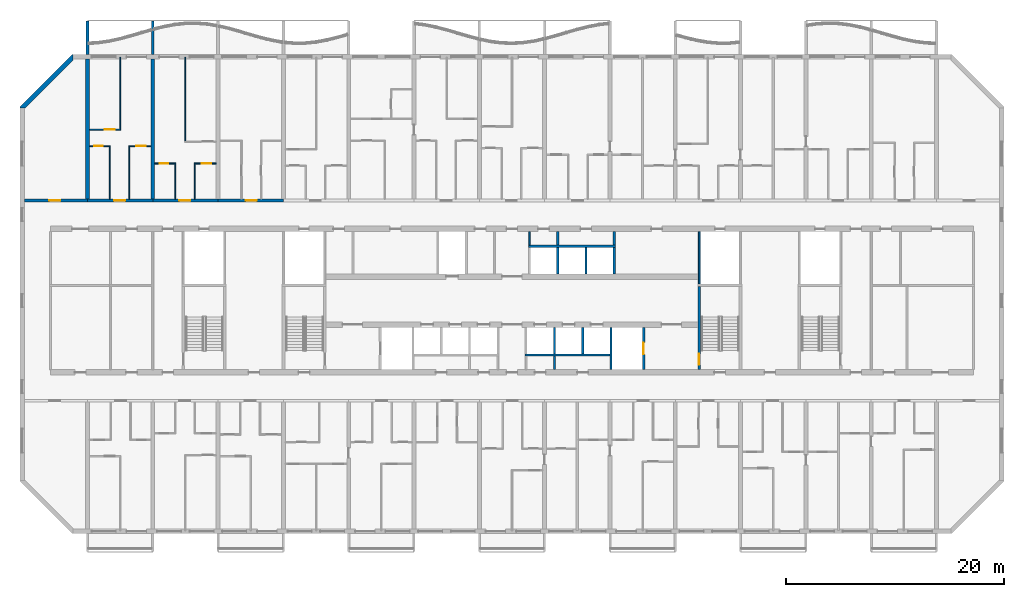
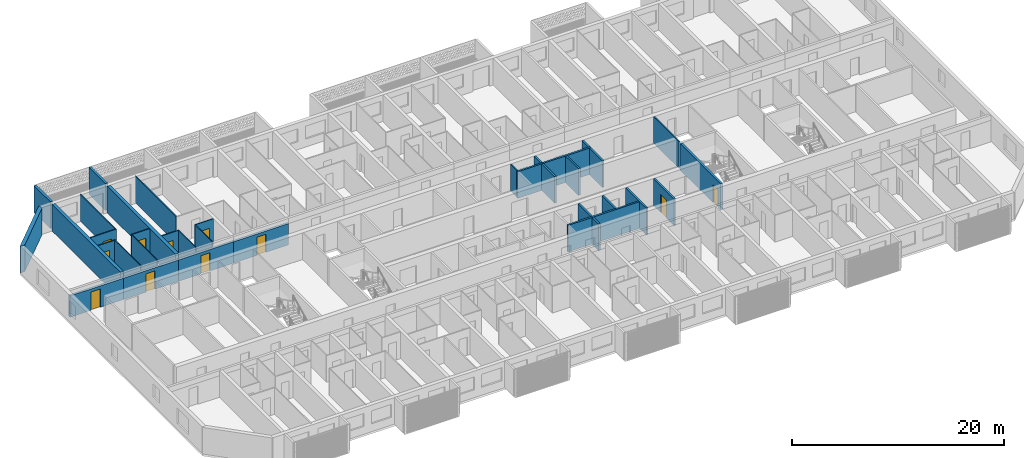
# One storey, part 9 of 27: 35 walls, 11 doors, 11 openings.
"""IFC4 building model written with IfcOpenShell, lengths in metres."""

from ifc_helpers import new_model, si_unit, direction, frame, frame_2d, origin, place, context, subcontext, project, spatial, polyline, rectangle, outline, extrude, source, transform, mapped, material, layer, layer_set, type_object, element, fill, save


model = new_model("IFC4")

# Units and contexts
model_context = context("Model", 3, precision=1e-05, world=origin(), true_north=direction((0.0, 1.0)))
body_context = subcontext(model_context, "Body", "Model", "MODEL_VIEW")
ifc_project = project(units=[si_unit("LENGTHUNIT", "METRE"), si_unit("AREAUNIT", "SQUARE_METRE"), si_unit("VOLUMEUNIT", "CUBIC_METRE"), si_unit("PLANEANGLEUNIT", "RADIAN"), si_unit("MASSUNIT", "GRAM", prefix="KILO")], contexts=[model_context])

# Site, building, storey
site_placement = place(None, origin())
site = spatial("IfcSite", under=ifc_project, at=site_placement, CompositionType="ELEMENT")
building_placement = place(site_placement, origin())
building = spatial("IfcBuilding", under=site, at=building_placement, Name="Poui Terraces", CompositionType="ELEMENT")
storey_placement = place(building_placement, frame((0.0, 0.0, 76.199951171875)))
storey = spatial("IfcBuildingStorey", under=building, at=storey_placement, Name="L20", CompositionType="ELEMENT", Elevation=76.199951171875)

# Wall
ifc_material_1 = material(Name="Fire-rated plasterboard wall")
ifc_layer_1 = layer(ifc_material_1, 0.14990234375)
ifc_layer_set_1 = layer_set([ifc_layer_1], Name="Fire-rated plasterboard wall")
wall_type_1 = type_object("IfcWallType", Name="CORRIDOR WALL 150", PredefinedType="PARTITIONING", material=ifc_layer_set_1)
wall_1_placement = place(storey_placement, frame((52.60009765625, 26.300048828125, 0.0), z_axis=(0.0, 0.0, 1.0), x_axis=(0.0, 1.0, 0.0)))
element("IfcWall", 1, at=wall_1_placement, inside=storey, type_object=wall_type_1, Name="CORRIDOR WALL 150", PredefinedType="PARTITIONING", context=body_context, shape_type="SweptSolid", body=[
    extrude(rectangle(XDim=1.239990234375, YDim=0.14990234375, at=frame_2d((0.6201171875, 0.0))), origin(), (0.0, 0.0, 1.0), 3.06005859375),
])

# Wall, opening, door
ifc_material_2 = material(Name="Concrete 65 MPa", Category="concrete")
ifc_layer_2 = layer(ifc_material_2, 0.25)
ifc_layer_set_2 = layer_set([ifc_layer_2], Name="Concrete 65 MPa")
wall_type_2 = type_object("IfcWallType", Name="CORRIDOR WALL 250 65MPa", PredefinedType="SHEAR", material=ifc_layer_set_2)
wall_2_placement = place(storey_placement, frame((6.199951171875, 30.39990234375, 0.0), z_axis=(0.0, 0.0, 1.0), x_axis=(1.0, 0.0, 0.0)))
wall_2 = element("IfcWall", 2, at=wall_2_placement, inside=storey, type_object=wall_type_2, Name="CORRIDOR WALL LINE E BAY 1", PredefinedType="SHEAR", context=body_context, shape_type="SweptSolid", body=[
    extrude(rectangle(XDim=5.800048828125, YDim=0.25, at=frame_2d((2.89990234375, 0.0))), origin(), (0.0, 0.0, 1.0), 2.4599609375),
])
opening_1_placement = place(wall_2_placement, frame((2.300048828125, 0.0, 0.0)))
opening_1 = element("IfcOpeningElement", 3, at=opening_1_placement, cuts=wall_2, Name="Opening D100", PredefinedType="OPENING", context=body_context, shape_type="SweptSolid", body=[
    extrude(rectangle(XDim=1.0, YDim=2.10009765625, at=frame_2d((0.5, 1.050048828125))), frame((0.0, 0.135009765625, 0.0), z_axis=(0.0, -1.0, 0.0), x_axis=(1.0, 0.0, 0.0)), (0.0, 0.0, 1.0), 0.27001953125),
])
ifc_material_3 = material(Name="Solid core timber door", Category="wood")
door_type_1 = type_object("IfcDoorType", Name="ACCESSIBLE INTERNAL DOOR 1000 X 2100", OperationType="NOTDEFINED", PredefinedType="DOOR", material=ifc_material_3)
door_1_placement = place(opening_1_placement, origin())
door_1 = element("IfcDoor", 4, at=door_1_placement, inside=storey, type_object=door_type_1, Name="ACCESSIBLE INTERNAL DOOR 033", OperationType="SINGLE_SWING_LEFT", OverallHeight=2.10009765625, OverallWidth=1.0, PredefinedType="DOOR", context=body_context, shape_type="SweptSolid", body=[
    extrude(rectangle(XDim=1.0, YDim=2.10009765625, at=frame_2d((0.5, 1.050048828125))), frame((0.0, 0.02490234375, 0.0), z_axis=(0.0, -1.0, 0.0), x_axis=(1.0, 0.0, 0.0)), (0.0, 0.0, 1.0), 0.050048828125),
])
fill(opening_1, door_1)

wall_3_placement = place(storey_placement, frame((12.0, 30.39990234375, 0.0), z_axis=(0.0, 0.0, 1.0), x_axis=(1.0, 0.0, 0.0)))
wall_3 = element("IfcWall", 5, at=wall_3_placement, inside=storey, type_object=wall_type_2, Name="CORRIDOR WALL LINE E BAY 2", PredefinedType="SHEAR", context=body_context, shape_type="SweptSolid", body=[
    extrude(rectangle(XDim=6.0, YDim=0.25, at=frame_2d((3.0, 0.0))), origin(), (0.0, 0.0, 1.0), 2.4599609375),
])
opening_2_placement = place(wall_3_placement, frame((2.449951171875, 0.0, 0.0)))
opening_2 = element("IfcOpeningElement", 6, at=opening_2_placement, cuts=wall_3, Name="Opening FD30S", PredefinedType="OPENING", context=body_context, shape_type="SweptSolid", body=[
    extrude(rectangle(XDim=1.0, YDim=2.10009765625, at=frame_2d((0.5, 1.050048828125))), frame((0.0, 0.135009765625, 0.0), z_axis=(0.0, -1.0, 0.0), x_axis=(1.0, 0.0, 0.0)), (0.0, 0.0, 1.0), 0.27001953125),
])
ifc_material_4 = material(Name="Steel fire door", Category="steel")
door_type_2 = type_object("IfcDoorType", Name="FLAT ENTRANCE DOOR 1000 X 2100", OperationType="NOTDEFINED", PredefinedType="DOOR", material=ifc_material_4)
door_2_placement = place(opening_2_placement, origin())
door_2 = element("IfcDoor", 7, at=door_2_placement, inside=storey, type_object=door_type_2, Name="FLAT ENTRANCE DOOR 036", OperationType="SINGLE_SWING_LEFT", OverallHeight=2.10009765625, OverallWidth=1.0, PredefinedType="DOOR", context=body_context, shape_type="SweptSolid", body=[
    extrude(rectangle(XDim=1.0, YDim=2.10009765625, at=frame_2d((0.5, 1.050048828125))), frame((0.0, 0.02490234375, 0.0), z_axis=(0.0, -1.0, 0.0), x_axis=(1.0, 0.0, 0.0)), (0.0, 0.0, 1.0), 0.050048828125),
])
fill(opening_2, door_2)

wall_4_placement = place(storey_placement, frame((18.0, 30.39990234375, 0.0), z_axis=(0.0, 0.0, 1.0), x_axis=(1.0, 0.0, 0.0)))
wall_4 = element("IfcWall", 8, at=wall_4_placement, inside=storey, type_object=wall_type_2, Name="CORRIDOR WALL LINE E BAY 3", PredefinedType="SHEAR", context=body_context, shape_type="SweptSolid", body=[
    extrude(rectangle(XDim=6.0, YDim=0.25, at=frame_2d((3.0, 0.0))), origin(), (0.0, 0.0, 1.0), 2.4599609375),
])
opening_3_placement = place(wall_4_placement, frame((2.449951171875, 0.0, 0.0)))
opening_3 = element("IfcOpeningElement", 9, at=opening_3_placement, cuts=wall_4, Name="Opening FD30S", PredefinedType="OPENING", context=body_context, shape_type="SweptSolid", body=[
    extrude(rectangle(XDim=1.0, YDim=2.10009765625, at=frame_2d((0.5, 1.050048828125))), frame((0.0, 0.135009765625, 0.0), z_axis=(0.0, -1.0, 0.0), x_axis=(1.0, 0.0, 0.0)), (0.0, 0.0, 1.0), 0.27001953125),
])
door_3_placement = place(opening_3_placement, origin())
door_3 = element("IfcDoor", 10, at=door_3_placement, inside=storey, type_object=door_type_2, Name="FLAT ENTRANCE DOOR 039", OperationType="SINGLE_SWING_LEFT", OverallHeight=2.10009765625, OverallWidth=1.0, PredefinedType="DOOR", context=body_context, shape_type="SweptSolid", body=[
    extrude(rectangle(XDim=1.0, YDim=2.10009765625, at=frame_2d((0.5, 1.050048828125))), frame((0.0, 0.02490234375, 0.0), z_axis=(0.0, -1.0, 0.0), x_axis=(1.0, 0.0, 0.0)), (0.0, 0.0, 1.0), 0.050048828125),
])
fill(opening_3, door_3)

wall_5_placement = place(storey_placement, frame((24.0, 30.39990234375, 0.0), z_axis=(0.0, 0.0, 1.0), x_axis=(1.0, 0.0, 0.0)))
wall_5 = element("IfcWall", 11, at=wall_5_placement, inside=storey, type_object=wall_type_2, Name="CORRIDOR WALL LINE E BAY 4", PredefinedType="SHEAR", context=body_context, shape_type="SweptSolid", body=[
    extrude(rectangle(XDim=6.0, YDim=0.25, at=frame_2d((3.0, 0.0))), origin(), (0.0, 0.0, 1.0), 2.4599609375),
])
opening_4_placement = place(wall_5_placement, frame((2.550048828125, 0.0, 0.0)))
opening_4 = element("IfcOpeningElement", 12, at=opening_4_placement, cuts=wall_5, Name="Opening FD30S", PredefinedType="OPENING", context=body_context, shape_type="SweptSolid", body=[
    extrude(rectangle(XDim=1.0, YDim=2.10009765625, at=frame_2d((0.5, 1.050048828125))), frame((0.0, 0.135009765625, 0.0), z_axis=(0.0, -1.0, 0.0), x_axis=(1.0, 0.0, 0.0)), (0.0, 0.0, 1.0), 0.27001953125),
])
door_4_placement = place(opening_4_placement, origin())
door_4 = element("IfcDoor", 13, at=door_4_placement, inside=storey, type_object=door_type_2, Name="FLAT ENTRANCE DOOR 043", OperationType="SINGLE_SWING_RIGHT", OverallHeight=2.10009765625, OverallWidth=1.0, PredefinedType="DOOR", context=body_context, shape_type="SweptSolid", body=[
    extrude(rectangle(XDim=1.0, YDim=2.10009765625, at=frame_2d((0.5, 1.050048828125))), frame((0.0, 0.02490234375, 0.0), z_axis=(0.0, -1.0, 0.0), x_axis=(1.0, 0.0, 0.0)), (0.0, 0.0, 1.0), 0.050048828125),
])
fill(opening_4, door_4)

# Walls
ifc_layer_3 = layer(ifc_material_2, 0.35009765625)
ifc_layer_set_3 = layer_set([ifc_layer_3], Name="Concrete 65 MPa")
wall_type_3 = type_object("IfcWallType", Name="CROSS WALL 350 65MPa", PredefinedType="SHEAR", material=ifc_layer_set_3)
for number, where, z_axis, x_axis, name in (
    (14, (12.0, 30.52490234375, 0.0), (0.0, 0.0, 1.0), (0.0, 1.0, 0.0), "CROSS WALL LINE 3 NORTH"),
    (15, (18.0, 30.52490234375, 0.0), (0.0, 0.0, 1.0), (0.0, 1.0, 0.0), "CROSS WALL LINE 4 NORTH"),
):
    element("IfcWall", number, at=place(storey_placement, frame(where, z_axis=z_axis, x_axis=x_axis)), inside=storey, type_object=wall_type_3, Name=name, PredefinedType="SHEAR", context=body_context, shape_type="SweptSolid", body=[
        extrude(rectangle(XDim=12.875, YDim=0.35009765625, at=frame_2d((6.4375, 0.0))), origin(), (0.0, 0.0, 1.0), 3.06005859375),
    ])

# Wall, opening, door
ifc_material_5 = material(Name="Plasterboard partition")
ifc_layer_4 = layer(ifc_material_5, 0.10009765625)
ifc_layer_set_4 = layer_set([ifc_layer_4], Name="Plasterboard partition")
wall_type_4 = type_object("IfcWallType", Name="FLAT PARTITION 100", PredefinedType="PARTITIONING", material=ifc_layer_set_4)
wall_6_placement = place(storey_placement, frame((18.18505859375, 33.800048828125, 0.0), z_axis=(0.0, 0.0, 1.0), x_axis=(1.0, 0.0, 0.0)))
wall_6 = element("IfcWall", 16, at=wall_6_placement, inside=storey, type_object=wall_type_4, Name="FLAT PARTITION 100", PredefinedType="PARTITIONING", context=body_context, shape_type="SweptSolid", body=[
    extrude(rectangle(XDim=1.9150390625, YDim=0.10009765625, at=frame_2d((0.95751953125, 0.0))), origin(), (0.0, 0.0, 1.0), 3.06005859375),
])
opening_5_placement = place(wall_6_placement, frame((0.43994140625, 0.0, 0.0)))
opening_5 = element("IfcOpeningElement", 17, at=opening_5_placement, cuts=wall_6, Name="Opening D80", PredefinedType="OPENING", context=body_context, shape_type="SweptSolid", body=[
    extrude(rectangle(XDim=0.800048828125, YDim=2.10009765625, at=frame_2d((0.39990234375, 1.050048828125))), frame((0.0, 0.06005859375, 0.0), z_axis=(0.0, -1.0, 0.0), x_axis=(1.0, 0.0, 0.0)), (0.0, 0.0, 1.0), 0.1201171875),
])
door_type_3 = type_object("IfcDoorType", Name="BATHROOM, LAUNDRY AND STORE DOOR 800 X 2100", OperationType="NOTDEFINED", PredefinedType="DOOR", material=ifc_material_3)
door_5_placement = place(opening_5_placement, frame((0.800048828125, 0.0, 0.0), z_axis=(0.0, 0.0, 1.0), x_axis=(-1.0, 0.0, 0.0)))
door_5 = element("IfcDoor", 18, at=door_5_placement, inside=storey, type_object=door_type_3, Name="BATHROOM, LAUNDRY AND STORE DOOR 038", OperationType="SINGLE_SWING_RIGHT", OverallHeight=2.10009765625, OverallWidth=0.800048828125, PredefinedType="DOOR", context=body_context, shape_type="SweptSolid", body=[
    extrude(rectangle(XDim=0.800048828125, YDim=2.10009765625, at=frame_2d((0.39990234375, 1.050048828125))), frame((0.0, 0.02490234375, 0.0), z_axis=(0.0, -1.0, 0.0), x_axis=(1.0, 0.0, 0.0)), (0.0, 0.0, 1.0), 0.050048828125),
])
fill(opening_5, door_5)

wall_7_placement = place(storey_placement, frame((21.800048828125, 33.800048828125, 0.0), z_axis=(0.0, 0.0, 1.0), x_axis=(1.0, 0.0, 0.0)))
wall_7 = element("IfcWall", 19, at=wall_7_placement, inside=storey, type_object=wall_type_4, Name="FLAT PARTITION 100", PredefinedType="PARTITIONING", context=body_context, shape_type="SweptSolid", body=[
    extrude(rectangle(XDim=2.014892578125, YDim=0.10009765625, at=frame_2d((1.00732421875, 0.0))), origin(), (0.0, 0.0, 1.0), 3.06005859375),
])
opening_6_placement = place(wall_7_placement, frame((0.675048828125, 0.0, 0.0)))
opening_6 = element("IfcOpeningElement", 20, at=opening_6_placement, cuts=wall_7, Name="Opening D90", PredefinedType="OPENING", context=body_context, shape_type="SweptSolid", body=[
    extrude(rectangle(XDim=0.89990234375, YDim=2.10009765625, at=frame_2d((0.449951171875, 1.050048828125))), frame((0.0, 0.06005859375, 0.0), z_axis=(0.0, -1.0, 0.0), x_axis=(1.0, 0.0, 0.0)), (0.0, 0.0, 1.0), 0.1201171875),
])
door_type_4 = type_object("IfcDoorType", Name="INTERNAL DOOR 900 X 2100", OperationType="NOTDEFINED", PredefinedType="DOOR", material=ifc_material_3)
door_6_placement = place(opening_6_placement, frame((0.89990234375, 0.0, 0.0), z_axis=(0.0, 0.0, 1.0), x_axis=(-1.0, 0.0, 0.0)))
door_6 = element("IfcDoor", 21, at=door_6_placement, inside=storey, type_object=door_type_4, Name="INTERNAL DOOR 040", OperationType="SINGLE_SWING_LEFT", OverallHeight=2.10009765625, OverallWidth=0.89990234375, PredefinedType="DOOR", context=body_context, shape_type="SweptSolid", body=[
    extrude(rectangle(XDim=0.89990234375, YDim=2.10009765625, at=frame_2d((0.449951171875, 1.050048828125))), frame((0.0, 0.02490234375, 0.0), z_axis=(0.0, -1.0, 0.0), x_axis=(1.0, 0.0, 0.0)), (0.0, 0.0, 1.0), 0.050048828125),
])
fill(opening_6, door_6)

wall_8_placement = place(storey_placement, frame((12.18505859375, 35.39990234375, 0.0), z_axis=(0.0, 0.0, 1.0), x_axis=(1.0, 0.0, 0.0)))
wall_8 = element("IfcWall", 22, at=wall_8_placement, inside=storey, type_object=wall_type_4, Name="FLAT PARTITION 100", PredefinedType="PARTITIONING", context=body_context, shape_type="SweptSolid", body=[
    extrude(rectangle(XDim=1.9150390625, YDim=0.10009765625, at=frame_2d((0.95751953125, 0.0))), origin(), (0.0, 0.0, 1.0), 3.06005859375),
])
opening_7_placement = place(wall_8_placement, frame((0.43994140625, 0.0, 0.0)))
opening_7 = element("IfcOpeningElement", 23, at=opening_7_placement, cuts=wall_8, Name="Opening D80", PredefinedType="OPENING", context=body_context, shape_type="SweptSolid", body=[
    extrude(rectangle(XDim=0.800048828125, YDim=2.10009765625, at=frame_2d((0.39990234375, 1.050048828125))), frame((0.0, 0.06005859375, 0.0), z_axis=(0.0, -1.0, 0.0), x_axis=(1.0, 0.0, 0.0)), (0.0, 0.0, 1.0), 0.1201171875),
])
door_7_placement = place(opening_7_placement, frame((0.800048828125, 0.0, 0.0), z_axis=(0.0, 0.0, 1.0), x_axis=(-1.0, 0.0, 0.0)))
door_7 = element("IfcDoor", 24, at=door_7_placement, inside=storey, type_object=door_type_3, Name="BATHROOM, LAUNDRY AND STORE DOOR 034", OperationType="SINGLE_SWING_LEFT", OverallHeight=2.10009765625, OverallWidth=0.800048828125, PredefinedType="DOOR", context=body_context, shape_type="SweptSolid", body=[
    extrude(rectangle(XDim=0.800048828125, YDim=2.10009765625, at=frame_2d((0.39990234375, 1.050048828125))), frame((0.0, 0.02490234375, 0.0), z_axis=(0.0, -1.0, 0.0), x_axis=(1.0, 0.0, 0.0)), (0.0, 0.0, 1.0), 0.050048828125),
])
fill(opening_7, door_7)

wall_9_placement = place(storey_placement, frame((15.800048828125, 35.39990234375, 0.0), z_axis=(0.0, 0.0, 1.0), x_axis=(1.0, 0.0, 0.0)))
wall_9 = element("IfcWall", 25, at=wall_9_placement, inside=storey, type_object=wall_type_4, Name="FLAT PARTITION 100", PredefinedType="PARTITIONING", context=body_context, shape_type="SweptSolid", body=[
    extrude(rectangle(XDim=2.014892578125, YDim=0.10009765625, at=frame_2d((1.00732421875, 0.0))), origin(), (0.0, 0.0, 1.0), 3.06005859375),
])
opening_8_placement = place(wall_9_placement, frame((0.675048828125, 0.0, 0.0)))
opening_8 = element("IfcOpeningElement", 26, at=opening_8_placement, cuts=wall_9, Name="Opening D90", PredefinedType="OPENING", context=body_context, shape_type="SweptSolid", body=[
    extrude(rectangle(XDim=0.89990234375, YDim=2.10009765625, at=frame_2d((0.449951171875, 1.050048828125))), frame((0.0, 0.06005859375, 0.0), z_axis=(0.0, -1.0, 0.0), x_axis=(1.0, 0.0, 0.0)), (0.0, 0.0, 1.0), 0.1201171875),
])
door_8_placement = place(opening_8_placement, frame((0.89990234375, 0.0, 0.0), z_axis=(0.0, 0.0, 1.0), x_axis=(-1.0, 0.0, 0.0)))
door_8 = element("IfcDoor", 27, at=door_8_placement, inside=storey, type_object=door_type_4, Name="INTERNAL DOOR 037", OperationType="SINGLE_SWING_RIGHT", OverallHeight=2.10009765625, OverallWidth=0.89990234375, PredefinedType="DOOR", context=body_context, shape_type="SweptSolid", body=[
    extrude(rectangle(XDim=0.89990234375, YDim=2.10009765625, at=frame_2d((0.449951171875, 1.050048828125))), frame((0.0, 0.02490234375, 0.0), z_axis=(0.0, -1.0, 0.0), x_axis=(1.0, 0.0, 0.0)), (0.0, 0.0, 1.0), 0.050048828125),
])
fill(opening_8, door_8)

wall_10_placement = place(storey_placement, frame((12.18505859375, 36.89990234375, 0.0), z_axis=(0.0, 0.0, 1.0), x_axis=(1.0, 0.0, 0.0)))
wall_10 = element("IfcWall", 28, at=wall_10_placement, inside=storey, type_object=wall_type_4, Name="FLAT PARTITION 100", PredefinedType="PARTITIONING", context=body_context, shape_type="SweptSolid", body=[
    extrude(rectangle(XDim=2.864990234375, YDim=0.10009765625, at=frame_2d((1.4326171875, 0.0))), origin(), (0.0, 0.0, 1.0), 3.06005859375),
])
opening_9_placement = place(wall_10_placement, frame((1.4150390625, 0.0, 0.0)))
opening_9 = element("IfcOpeningElement", 29, at=opening_9_placement, cuts=wall_10, Name="Opening D90", PredefinedType="OPENING", context=body_context, shape_type="SweptSolid", body=[
    extrude(rectangle(XDim=0.89990234375, YDim=2.10009765625, at=frame_2d((0.449951171875, 1.050048828125))), frame((0.0, 0.06005859375, 0.0), z_axis=(0.0, -1.0, 0.0), x_axis=(1.0, 0.0, 0.0)), (0.0, 0.0, 1.0), 0.1201171875),
])
door_9_placement = place(opening_9_placement, frame((0.89990234375, 0.0, 0.0), z_axis=(0.0, 0.0, 1.0), x_axis=(-1.0, 0.0, 0.0)))
door_9 = element("IfcDoor", 30, at=door_9_placement, inside=storey, type_object=door_type_4, Name="INTERNAL DOOR 035", OperationType="SINGLE_SWING_RIGHT", OverallHeight=2.10009765625, OverallWidth=0.89990234375, PredefinedType="DOOR", context=body_context, shape_type="SweptSolid", body=[
    extrude(rectangle(XDim=0.89990234375, YDim=2.10009765625, at=frame_2d((0.449951171875, 1.050048828125))), frame((0.0, 0.02490234375, 0.0), z_axis=(0.0, -1.0, 0.0), x_axis=(1.0, 0.0, 0.0)), (0.0, 0.0, 1.0), 0.050048828125),
])
fill(opening_9, door_9)

# Walls
wall_11_placement = place(storey_placement, frame((14.050048828125, 30.534912109375, 0.0), z_axis=(0.0, 0.0, 1.0), x_axis=(0.0, 1.0, 0.0)))
element("IfcWall", 31, at=wall_11_placement, inside=storey, type_object=wall_type_4, Name="FLAT PARTITION 100", PredefinedType="PARTITIONING", context=body_context, shape_type="SweptSolid", body=[
    extrude(rectangle(XDim=4.815185546875, YDim=0.10009765625, at=frame_2d((2.40771484375, 0.0))), origin(), (0.0, 0.0, 1.0), 3.06005859375),
])
wall_12_placement = place(storey_placement, frame((15.0, 36.949951171875, 0.0), z_axis=(0.0, 0.0, 1.0), x_axis=(0.0, 1.0, 0.0)))
element("IfcWall", 32, at=wall_12_placement, inside=storey, type_object=wall_type_4, Name="FLAT PARTITION 100", PredefinedType="PARTITIONING", context=body_context, shape_type="SweptSolid", body=[
    extrude(rectangle(XDim=6.590087890625, YDim=0.10009765625, at=frame_2d((3.294921875, 0.0))), origin(), (0.0, 0.0, 1.0), 3.06005859375),
])
wall_13_placement = place(storey_placement, frame((15.85009765625, 30.534912109375, 0.0), z_axis=(0.0, 0.0, 1.0), x_axis=(0.0, 1.0, 0.0)))
element("IfcWall", 33, at=wall_13_placement, inside=storey, type_object=wall_type_4, Name="FLAT PARTITION 100", PredefinedType="PARTITIONING", context=body_context, shape_type="SweptSolid", body=[
    extrude(rectangle(XDim=4.815185546875, YDim=0.10009765625, at=frame_2d((2.40771484375, 0.0))), origin(), (0.0, 0.0, 1.0), 3.06005859375),
])
wall_14_placement = place(storey_placement, frame((20.050048828125, 30.534912109375, 0.0), z_axis=(0.0, 0.0, 1.0), x_axis=(0.0, 1.0, 0.0)))
element("IfcWall", 34, at=wall_14_placement, inside=storey, type_object=wall_type_4, Name="FLAT PARTITION 100", PredefinedType="PARTITIONING", context=body_context, shape_type="SweptSolid", body=[
    extrude(rectangle(XDim=3.215087890625, YDim=0.10009765625, at=frame_2d((1.607421875, 0.0))), origin(), (0.0, 0.0, 1.0), 3.06005859375),
])
wall_15_placement = place(storey_placement, frame((21.0, 35.85009765625, 0.0), z_axis=(0.0, 0.0, 1.0), x_axis=(0.0, 1.0, 0.0)))
element("IfcWall", 35, at=wall_15_placement, inside=storey, type_object=wall_type_4, Name="FLAT PARTITION 100", PredefinedType="PARTITIONING", context=body_context, shape_type="SweptSolid", body=[
    extrude(rectangle(XDim=7.68994140625, YDim=0.10009765625, at=frame_2d((3.844970703125, 0.0))), origin(), (0.0, 0.0, 1.0), 3.06005859375),
])
wall_16_placement = place(storey_placement, frame((21.85009765625, 30.534912109375, 0.0), z_axis=(0.0, 0.0, 1.0), x_axis=(0.0, 1.0, 0.0)))
element("IfcWall", 36, at=wall_16_placement, inside=storey, type_object=wall_type_4, Name="FLAT PARTITION 100", PredefinedType="PARTITIONING", context=body_context, shape_type="SweptSolid", body=[
    extrude(rectangle(XDim=3.215087890625, YDim=0.10009765625, at=frame_2d((1.607421875, 0.0))), origin(), (0.0, 0.0, 1.0), 3.06005859375),
])
ifc_material_6 = material(Name="Fire-rated masonry wall", Category="masonry")
ifc_layer_5 = layer(ifc_material_6, 0.199951171875)
ifc_layer_set_5 = layer_set([ifc_layer_5], Name="Fire-rated masonry wall")
wall_type_5 = type_object("IfcWallType", Name="PLANT ROOM WALL 200", PredefinedType="PARTITIONING", material=ifc_layer_set_5)
for number, where, z_axis, x_axis, name in (
    (37, (54.89990234375, 14.860107421875, 0.0), (0.0, 0.0, 1.0), (0.0, 1.0, 0.0), "PLANT ROOM WALL 200"),
    (38, (55.199951171875, 26.300048828125, 0.0), (0.0, 0.0, 1.0), (0.0, 1.0, 0.0), "PLANT ROOM WALL 200"),
    (39, (60.39990234375, 26.300048828125, 0.0), (0.0, 0.0, 1.0), (0.0, 1.0, 0.0), "PLANT ROOM WALL 200"),
):
    element("IfcWall", number, at=place(storey_placement, frame(where, z_axis=z_axis, x_axis=x_axis)), inside=storey, type_object=wall_type_5, Name=name, PredefinedType="PARTITIONING", context=body_context, shape_type="SweptSolid", body=[
        extrude(rectangle(XDim=1.239990234375, YDim=0.199951171875, at=frame_2d((0.6201171875, 0.0))), origin(), (0.0, 0.0, 1.0), 3.06005859375),
    ])
ifc_material_7 = material(Name="Fire-rated plasterboard riser wall")
ifc_layer_6 = layer(ifc_material_7, 0.14990234375)
ifc_layer_set_6 = layer_set([ifc_layer_6], Name="Fire-rated plasterboard riser wall")
wall_type_6 = type_object("IfcWallType", Name="RISER WALL 150", PredefinedType="PARTITIONING", material=ifc_layer_set_6)
wall_17_placement = place(storey_placement, frame((68.199951171875, 22.735107421875, 0.0), z_axis=(0.0, 0.0, 1.0), x_axis=(0.0, 1.0, 0.0)))
element("IfcWall", 40, at=wall_17_placement, inside=storey, type_object=wall_type_6, Name="RISER WALL 150", PredefinedType="PARTITIONING", context=body_context, shape_type="SweptSolid", body=[
    extrude(rectangle(XDim=4.804931640625, YDim=0.14990234375, at=frame_2d((2.40234375, 0.0))), origin(), (0.0, 0.0, 1.0), 3.06005859375),
])
ifc_material_8 = material(Name="Fire-rated masonry shaft wall", Category="masonry")
ifc_layer_7 = layer(ifc_material_8, 0.199951171875)
ifc_layer_set_7 = layer_set([ifc_layer_7], Name="Fire-rated masonry shaft wall")
wall_type_7 = type_object("IfcWallType", Name="SHAFT WALL 200", PredefinedType="PARTITIONING", material=ifc_layer_set_7)
wall_18_placement = place(storey_placement, frame((52.199951171875, 16.199951171875, 0.0), z_axis=(0.0, 0.0, 1.0), x_axis=(1.0, 0.0, 0.0)))
element("IfcWall", 41, at=wall_18_placement, inside=storey, type_object=wall_type_7, Name="SHAFT WALL 200", PredefinedType="PARTITIONING", context=body_context, shape_type="SweptSolid", body=[
    extrude(rectangle(XDim=7.800048828125, YDim=0.199951171875, at=frame_2d((3.89990234375, 0.0))), origin(), (0.0, 0.0, 1.0), 3.06005859375),
])
wall_19_placement = place(storey_placement, frame((52.5, 26.199951171875, 0.0), z_axis=(0.0, 0.0, 1.0), x_axis=(1.0, 0.0, 0.0)))
element("IfcWall", 42, at=wall_19_placement, inside=storey, type_object=wall_type_7, Name="SHAFT WALL 200", PredefinedType="PARTITIONING", context=body_context, shape_type="SweptSolid", body=[
    extrude(rectangle(XDim=8.0, YDim=0.199951171875, at=frame_2d((4.0, 0.0))), origin(), (0.0, 0.0, 1.0), 3.06005859375),
])
wall_20_placement = place(storey_placement, frame((54.89990234375, 16.300048828125, 0.0), z_axis=(0.0, 0.0, 1.0), x_axis=(0.0, 1.0, 0.0)))
element("IfcWall", 43, at=wall_20_placement, inside=storey, type_object=wall_type_7, Name="SHAFT WALL 200", PredefinedType="PARTITIONING", context=body_context, shape_type="SweptSolid", body=[
    extrude(rectangle(XDim=2.43994140625, YDim=0.199951171875, at=frame_2d((1.219970703125, 0.0))), origin(), (0.0, 0.0, 1.0), 3.06005859375),
])
wall_21_placement = place(storey_placement, frame((55.199951171875, 23.659912109375, 0.0), z_axis=(0.0, 0.0, 1.0), x_axis=(0.0, 1.0, 0.0)))
element("IfcWall", 44, at=wall_21_placement, inside=storey, type_object=wall_type_7, Name="SHAFT WALL 200", PredefinedType="PARTITIONING", context=body_context, shape_type="SweptSolid", body=[
    extrude(rectangle(XDim=2.440185546875, YDim=0.199951171875, at=frame_2d((1.22021484375, 0.0))), origin(), (0.0, 0.0, 1.0), 3.06005859375),
])
wall_22_placement = place(storey_placement, frame((57.5, 16.300048828125, 0.0), z_axis=(0.0, 0.0, 1.0), x_axis=(0.0, 1.0, 0.0)))
element("IfcWall", 45, at=wall_22_placement, inside=storey, type_object=wall_type_7, Name="SHAFT WALL 200", PredefinedType="PARTITIONING", context=body_context, shape_type="SweptSolid", body=[
    extrude(rectangle(XDim=2.43994140625, YDim=0.199951171875, at=frame_2d((1.219970703125, 0.0))), origin(), (0.0, 0.0, 1.0), 3.06005859375),
])
wall_23_placement = place(storey_placement, frame((57.800048828125, 23.659912109375, 0.0), z_axis=(0.0, 0.0, 1.0), x_axis=(0.0, 1.0, 0.0)))
element("IfcWall", 46, at=wall_23_placement, inside=storey, type_object=wall_type_7, Name="SHAFT WALL 200", PredefinedType="PARTITIONING", context=body_context, shape_type="SweptSolid", body=[
    extrude(rectangle(XDim=2.440185546875, YDim=0.199951171875, at=frame_2d((1.22021484375, 0.0))), origin(), (0.0, 0.0, 1.0), 3.06005859375),
])
wall_24_placement = place(storey_placement, frame((60.10009765625, 14.860107421875, 0.0), z_axis=(0.0, 0.0, 1.0), x_axis=(0.0, 1.0, 0.0)))
element("IfcWall", 47, at=wall_24_placement, inside=storey, type_object=wall_type_7, Name="SHAFT WALL 200", PredefinedType="PARTITIONING", context=body_context, shape_type="SweptSolid", body=[
    extrude(rectangle(XDim=3.8798828125, YDim=0.199951171875, at=frame_2d((1.93994140625, 0.0))), origin(), (0.0, 0.0, 1.0), 3.06005859375),
])
wall_25_placement = place(storey_placement, frame((60.39990234375, 23.659912109375, 0.0), z_axis=(0.0, 0.0, 1.0), x_axis=(0.0, 1.0, 0.0)))
element("IfcWall", 48, at=wall_25_placement, inside=storey, type_object=wall_type_7, Name="SHAFT WALL 200", PredefinedType="PARTITIONING", context=body_context, shape_type="SweptSolid", body=[
    extrude(rectangle(XDim=2.440185546875, YDim=0.199951171875, at=frame_2d((1.22021484375, 0.0))), origin(), (0.0, 0.0, 1.0), 3.06005859375),
])

# Wall, opening, door
wall_26_placement = place(storey_placement, frame((63.10009765625, 14.860107421875, 0.0), z_axis=(0.0, 0.0, 1.0), x_axis=(0.0, 1.0, 0.0)))
wall_26 = element("IfcWall", 49, at=wall_26_placement, inside=storey, type_object=wall_type_7, Name="SHAFT WALL 200", PredefinedType="PARTITIONING", context=body_context, shape_type="SweptSolid", body=[
    extrude(rectangle(XDim=3.8798828125, YDim=0.199951171875, at=frame_2d((1.93994140625, 0.0))), origin(), (0.0, 0.0, 1.0), 3.06005859375),
])
opening_10_placement = place(wall_26_placement, frame((1.389892578125, 0.0, 0.0)))
opening_10 = element("IfcOpeningElement", 50, at=opening_10_placement, cuts=wall_26, Name="Opening LD", PredefinedType="OPENING", context=body_context, shape_type="SweptSolid", body=[
    extrude(rectangle(XDim=1.10009765625, YDim=2.10009765625, at=frame_2d((0.550048828125, 1.050048828125))), frame((0.0, 0.10986328125, 0.0), z_axis=(0.0, -1.0, 0.0), x_axis=(1.0, 0.0, 0.0)), (0.0, 0.0, 1.0), 0.219970703125),
])
ifc_material_9 = material(Name="Stainless steel sliding door", Category="steel")
door_type_5 = type_object("IfcDoorType", Name="LIFT LANDING DOOR 1100 X 2100", OperationType="DOUBLE_DOOR_SLIDING", PredefinedType="DOOR", material=ifc_material_9)
door_10_placement = place(opening_10_placement, origin())
door_10 = element("IfcDoor", 51, at=door_10_placement, inside=storey, type_object=door_type_5, Name="LANDING DOOR", OperationType="DOUBLE_DOOR_SLIDING", OverallHeight=2.10009765625, OverallWidth=1.10009765625, PredefinedType="DOOR", context=body_context, shape_type="SweptSolid", body=[
    extrude(rectangle(XDim=1.10009765625, YDim=2.10009765625, at=frame_2d((0.550048828125, 1.050048828125))), frame((0.0, 0.02490234375, 0.0), z_axis=(0.0, -1.0, 0.0), x_axis=(1.0, 0.0, 0.0)), (0.0, 0.0, 1.0), 0.050048828125),
])
fill(opening_10, door_10)

ifc_layer_8 = layer(ifc_material_2, 0.25)
ifc_layer_set_8 = layer_set([ifc_layer_8], Name="Concrete 65 MPa")
wall_type_8 = type_object("IfcWallType", Name="STAIR CORE WALL 250 65 MPA", PredefinedType="SOLIDWALL", material=ifc_layer_set_8)
wall_27_placement = place(storey_placement, frame((68.199951171875, 14.85009765625, 0.0), z_axis=(0.0, 0.0, 1.0), x_axis=(0.0, 1.0, 0.0)))
wall_27 = element("IfcWall", 52, at=wall_27_placement, inside=storey, type_object=wall_type_8, Name="STAIR CORE WALL", PredefinedType="SOLIDWALL", context=body_context, shape_type="SweptSolid", body=[
    extrude(rectangle(XDim=7.625, YDim=0.25, at=frame_2d((3.8125, 0.0))), origin(), (0.0, 0.0, 1.0), 3.06005859375),
])
opening_11_placement = place(wall_27_placement, frame((0.449951171875, 0.0, 0.0)))
opening_11 = element("IfcOpeningElement", 53, at=opening_11_placement, cuts=wall_27, Name="Opening FD60S", PredefinedType="OPENING", context=body_context, shape_type="SweptSolid", body=[
    extrude(rectangle(XDim=1.0, YDim=2.10009765625, at=frame_2d((0.5, 1.050048828125))), frame((0.0, 0.135009765625, 0.0), z_axis=(0.0, -1.0, 0.0), x_axis=(1.0, 0.0, 0.0)), (0.0, 0.0, 1.0), 0.27001953125),
])
door_type_6 = type_object("IfcDoorType", Name="STAIR DOOR 1000 X 2100", OperationType="NOTDEFINED", PredefinedType="DOOR", material=ifc_material_4)
door_11_placement = place(opening_11_placement, frame((1.0, 0.0, 0.0), z_axis=(0.0, 0.0, 1.0), x_axis=(-1.0, 0.0, 0.0)))
door_11 = element("IfcDoor", 54, at=door_11_placement, inside=storey, type_object=door_type_6, Name="STAIR DOOR 136", OperationType="SINGLE_SWING_LEFT", OverallHeight=2.10009765625, OverallWidth=1.0, PredefinedType="DOOR", context=body_context, shape_type="SweptSolid", body=[
    extrude(rectangle(XDim=1.0, YDim=2.10009765625, at=frame_2d((0.5, 1.050048828125))), frame((0.0, 0.02490234375, 0.0), z_axis=(0.0, -1.0, 0.0), x_axis=(1.0, 0.0, 0.0)), (0.0, 0.0, 1.0), 0.050048828125),
])
fill(opening_11, door_11)

# Walls
ifc_material_10 = material(Name="Precast concrete 40 MPa", Category="concrete")
ifc_layer_9 = layer(ifc_material_10, 0.39990234375)
ifc_layer_set_9 = layer_set([ifc_layer_9], Name="Precast concrete 40 MPa")
wall_type_9 = type_object("IfcWallType", Name="TERRACOTTA CLAD CHAMFER WALL 400", PredefinedType="STANDARD", material=ifc_layer_set_9)
wall_28_placement = place(storey_placement, origin())
element("IfcWall", 55, at=wall_28_placement, inside=storey, type_object=wall_type_9, Name="CHAMFER WALL CH05", PredefinedType="STANDARD", context=body_context, shape_type="SweptSolid", body=[
    extrude(outline(polyline([(10.682861328125, 43.800048828125), (10.60009765625, 43.800048828125), (5.800048828125, 39.0), (5.800048828125, 38.917236328125), (6.28271484375, 38.917236328125), (10.682861328125, 43.317138671875), (10.682861328125, 43.800048828125)])), origin(), (0.0, 0.0, 1.0), 3.06005859375),
])
ifc_layer_10 = layer(ifc_material_10, 0.25)
ifc_layer_set_10 = layer_set([ifc_layer_10], Name="Precast concrete 40 MPa")
wall_type_10 = type_object("IfcWallType", Name="BALCONY FIN 250", PredefinedType="STANDARD", material=ifc_layer_set_10)
shared_shape = source(origin(), body_context, "Body", "SweptSolid", [
    extrude(outline(polyline([(0.0, 0.0), (0.25, 0.0), (0.25, 3.099853515625), (0.0, 3.099853515625), (0.0, 0.0)])), origin(), (0.0, 0.0, 1.0), 3.10009765625),
])
for number, where, name in (
    (56, (11.875, 43.800048828125, 0.0), "BALCONY FIN"),
    (57, (17.875, 43.800048828125, 0.0), "BALCONY FIN"),
):
    element("IfcWall", number, at=place(storey_placement, frame(where)), inside=storey, type_object=wall_type_10, Name=name, PredefinedType="STANDARD", context=body_context, shape_type="MappedRepresentation", body=[
        mapped(shared_shape, transform((0.0, 0.0, 0.0))),
    ])

save(model, "model.ifc")
